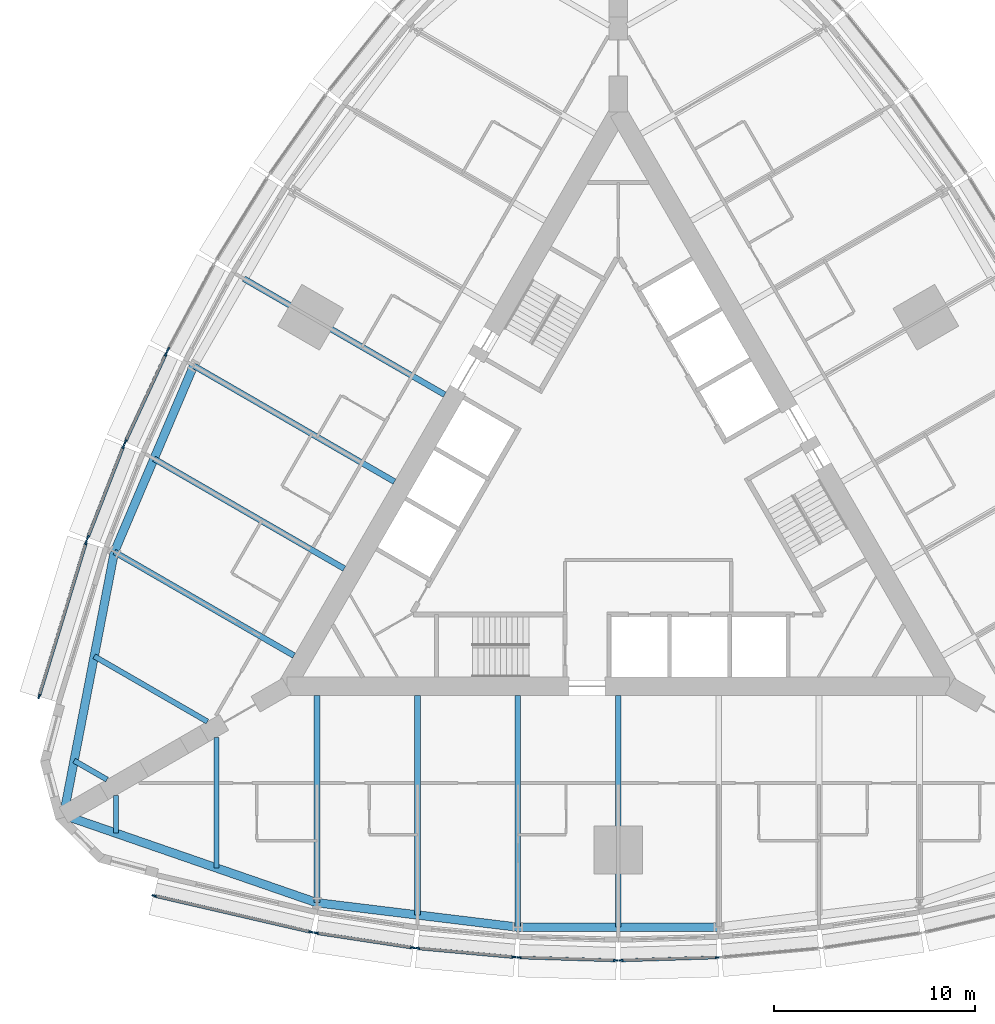
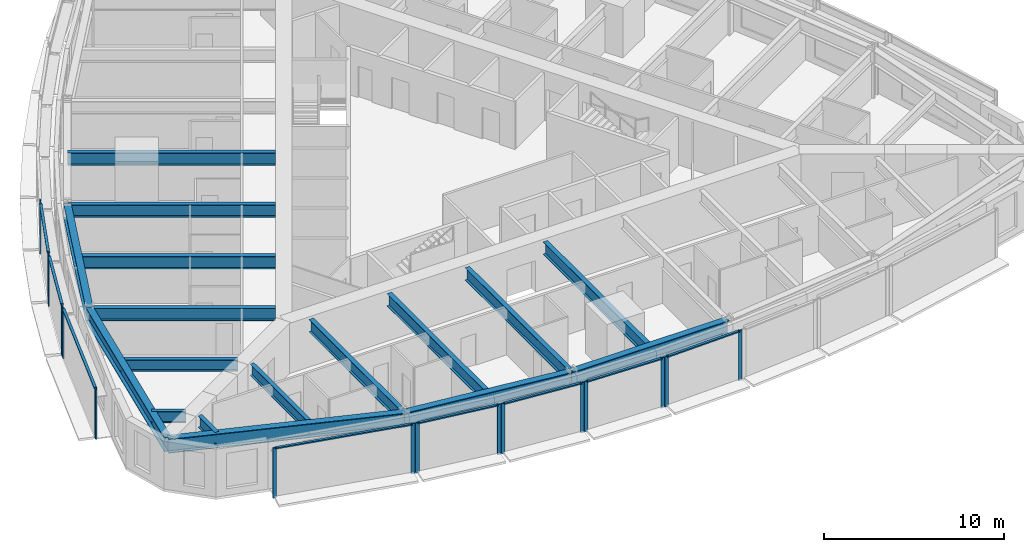
# One storey, part 2 of 14: 25 members, 17 beams, 9 elements without a shape of their own.
"""IFC4 building model written with IfcOpenShell, lengths in metres."""

from ifc_helpers import new_model, si_unit, direction, frame, origin, origin_2d, place, context, subcontext, project, spatial, rectangle, i_section, extrude, material, material_profile, profile_set, type_object, element, aggregate, save


model = new_model("IFC4")

# Units and contexts
model_context = context("Model", 3, precision=1e-05, world=origin(), true_north=direction((0.0, 1.0)))
body_context = subcontext(model_context, "Body", "Model", "MODEL_VIEW")
ifc_project = project(units=[si_unit("LENGTHUNIT", "METRE"), si_unit("AREAUNIT", "SQUARE_METRE"), si_unit("VOLUMEUNIT", "CUBIC_METRE"), si_unit("PLANEANGLEUNIT", "RADIAN"), si_unit("MASSUNIT", "GRAM", prefix="KILO")], contexts=[model_context])

# Site, building, storey
site_placement = place(None, origin())
site = spatial("IfcSite", under=ifc_project, at=site_placement, CompositionType="ELEMENT")
building_placement = place(site_placement, origin())
building = spatial("IfcBuilding", under=site, at=building_placement, Name="Trikona Tower", CompositionType="ELEMENT")
storey_placement = place(building_placement, frame((0.0, 0.0, 69.300048828125)))
storey = spatial("IfcBuildingStorey", under=building, at=storey_placement, Name="L17", CompositionType="ELEMENT", Elevation=69.300048828125)

# Curtain wall, members
ifc_material_1 = material(Name="Aluminium curtain wall system", Category="aluminium")
curtain_wall_type = type_object("IfcCurtainWallType", Name="Curtain wall DS1", PredefinedType="NOTDEFINED", material=ifc_material_1)
curtain_wall_1_placement = place(storey_placement, origin())
curtain_wall_1 = element("IfcCurtainWall", 1, at=curtain_wall_1_placement, inside=storey, type_object=curtain_wall_type, Name="Curtain wall DS1 L17", PredefinedType="NOTDEFINED")
ifc_material_2 = material(Name="Aluminium mullion, pale anodised", Category="aluminium")
ifc_material_profile_1 = material_profile(ifc_material_2, rectangle(XDim=0.080078125, YDim=0.219970703125, at=origin_2d()), Name="MUL-DS1")
ifc_profile_set_1 = profile_set([ifc_material_profile_1], Name="Aluminium mullion, pale anodised")
member_type_1 = type_object("IfcMemberType", Name="Mullion DS1 80x220", PredefinedType="MULLION", material=ifc_profile_set_1)
member_1_placement = place(storey_placement, frame((-23.10546875, -19.951904296875, 0.0), z_axis=(0.0, 0.0, 1.0), x_axis=(0.225343288756, 0.974279427173, 0.0)))
member_1 = element("IfcMember", 2, at=member_1_placement, type_object=member_type_1, Name="CW-DS1 mullion 1", PredefinedType="MULLION", context=body_context, shape_type="SweptSolid", body=[
    extrude(rectangle(XDim=0.080078125, YDim=0.219970703125, at=origin_2d()), origin(), (0.0, 0.0, 1.0), 3.39990234375),
])
member_2_placement = place(storey_placement, frame((-15.30029296875, -21.75732421875, 0.0), z_axis=(0.0, 0.0, 1.0), x_axis=(0.225343288756, 0.974279427173, 0.0)))
member_2 = element("IfcMember", 3, at=member_2_placement, type_object=member_type_1, Name="CW-DS1 mullion 2", PredefinedType="MULLION", context=body_context, shape_type="SweptSolid", body=[
    extrude(rectangle(XDim=0.080078125, YDim=0.219970703125, at=origin_2d()), origin(), (0.0, 0.0, 1.0), 3.39990234375),
])

curtain_wall_2_placement = place(storey_placement, origin())
curtain_wall_2 = element("IfcCurtainWall", 4, at=curtain_wall_2_placement, inside=storey, type_object=curtain_wall_type, Name="Curtain wall DS1 L17", PredefinedType="NOTDEFINED")
member_3_placement = place(storey_placement, frame((-15.03662109375, -21.807861328125, 0.0), z_axis=(0.0, 0.0, 1.0), x_axis=(0.150437693845, 0.988619492156, 0.0)))
member_3 = element("IfcMember", 5, at=member_3_placement, type_object=member_type_1, Name="CW-DS1 mullion 1", PredefinedType="MULLION", context=body_context, shape_type="SweptSolid", body=[
    extrude(rectangle(XDim=0.080078125, YDim=0.219970703125, at=origin_2d()), origin(), (0.0, 0.0, 1.0), 3.39990234375),
])
member_4_placement = place(storey_placement, frame((-10.234130859375, -22.53857421875, 0.0), z_axis=(0.0, 0.0, 1.0), x_axis=(0.150437693845, 0.988619492156, 0.0)))
member_4 = element("IfcMember", 6, at=member_4_placement, type_object=member_type_1, Name="CW-DS1 mullion 2", PredefinedType="MULLION", context=body_context, shape_type="SweptSolid", body=[
    extrude(rectangle(XDim=0.080078125, YDim=0.219970703125, at=origin_2d()), origin(), (0.0, 0.0, 1.0), 3.39990234375),
])

curtain_wall_3_placement = place(storey_placement, origin())
curtain_wall_3 = element("IfcCurtainWall", 7, at=curtain_wall_3_placement, inside=storey, type_object=curtain_wall_type, Name="Curtain wall DS1 L17", PredefinedType="NOTDEFINED")
member_5_placement = place(storey_placement, frame((-9.982177734375, -22.5693359375, 0.0), z_axis=(0.0, 0.0, 1.0), x_axis=(0.090923932737, 0.995857840485, 0.0)))
member_5 = element("IfcMember", 8, at=member_5_placement, type_object=member_type_1, Name="CW-DS1 mullion 1", PredefinedType="MULLION", context=body_context, shape_type="SweptSolid", body=[
    extrude(rectangle(XDim=0.080078125, YDim=0.219970703125, at=origin_2d()), origin(), (0.0, 0.0, 1.0), 3.39990234375),
])
member_6_placement = place(storey_placement, frame((-5.181396484375, -23.007568359375, 0.0), z_axis=(0.0, 0.0, 1.0), x_axis=(0.090923932737, 0.995857840485, 0.0)))
member_6 = element("IfcMember", 9, at=member_6_placement, type_object=member_type_1, Name="CW-DS1 mullion 2", PredefinedType="MULLION", context=body_context, shape_type="SweptSolid", body=[
    extrude(rectangle(XDim=0.080078125, YDim=0.219970703125, at=origin_2d()), origin(), (0.0, 0.0, 1.0), 3.39990234375),
])

curtain_wall_4_placement = place(storey_placement, origin())
curtain_wall_4 = element("IfcCurtainWall", 10, at=curtain_wall_4_placement, inside=storey, type_object=curtain_wall_type, Name="Curtain wall DS1 L17", PredefinedType="NOTDEFINED")
member_7_placement = place(storey_placement, frame((-4.927490234375, -23.02294921875, 0.0), z_axis=(0.0, 0.0, 1.0), x_axis=(0.030436711692, 0.999536695965, 0.0)))
member_7 = element("IfcMember", 11, at=member_7_placement, type_object=member_type_1, Name="CW-DS1 mullion 1", PredefinedType="MULLION", context=body_context, shape_type="SweptSolid", body=[
    extrude(rectangle(XDim=0.080078125, YDim=0.219970703125, at=origin_2d()), origin(), (0.0, 0.0, 1.0), 3.39990234375),
])
member_8_placement = place(storey_placement, frame((-0.12744140625, -23.169189453125, 0.0), z_axis=(0.0, 0.0, 1.0), x_axis=(0.030436711692, 0.999536695965, 0.0)))
member_8 = element("IfcMember", 12, at=member_8_placement, type_object=member_type_1, Name="CW-DS1 mullion 2", PredefinedType="MULLION", context=body_context, shape_type="SweptSolid", body=[
    extrude(rectangle(XDim=0.080078125, YDim=0.219970703125, at=origin_2d()), origin(), (0.0, 0.0, 1.0), 3.39990234375),
])

curtain_wall_5_placement = place(storey_placement, origin())
curtain_wall_5 = element("IfcCurtainWall", 13, at=curtain_wall_5_placement, inside=storey, type_object=curtain_wall_type, Name="Curtain wall DS1 L17", PredefinedType="NOTDEFINED")
member_9_placement = place(storey_placement, frame((0.12744140625, -23.169189453125, 0.0), z_axis=(0.0, 0.0, 1.0), x_axis=(-0.030436711692, 0.999536695965, 0.0)))
member_9 = element("IfcMember", 14, at=member_9_placement, type_object=member_type_1, Name="CW-DS1 mullion 1", PredefinedType="MULLION", context=body_context, shape_type="SweptSolid", body=[
    extrude(rectangle(XDim=0.080078125, YDim=0.219970703125, at=origin_2d()), origin(), (0.0, 0.0, 1.0), 3.39990234375),
])
member_10_placement = place(storey_placement, frame((4.927490234375, -23.02294921875, 0.0), z_axis=(0.0, 0.0, 1.0), x_axis=(-0.030436711692, 0.999536695965, 0.0)))
member_10 = element("IfcMember", 15, at=member_10_placement, type_object=member_type_1, Name="CW-DS1 mullion 2", PredefinedType="MULLION", context=body_context, shape_type="SweptSolid", body=[
    extrude(rectangle(XDim=0.080078125, YDim=0.219970703125, at=origin_2d()), origin(), (0.0, 0.0, 1.0), 3.39990234375),
])

# Curtain wall, member
curtain_wall_6_placement = place(storey_placement, origin())
curtain_wall_6 = element("IfcCurtainWall", 16, at=curtain_wall_6_placement, inside=storey, type_object=curtain_wall_type, Name="Curtain wall DS1 L17", PredefinedType="NOTDEFINED")
member_11_placement = place(storey_placement, frame((-22.402099609375, 7.244140625, 0.0), z_axis=(0.0, 0.0, 1.0), x_axis=(0.880843080975, -0.473408350896, 0.0)))
member_11 = element("IfcMember", 17, at=member_11_placement, type_object=member_type_1, Name="CW-DS1 mullion 2", PredefinedType="MULLION", context=body_context, shape_type="SweptSolid", body=[
    extrude(rectangle(XDim=0.080078125, YDim=0.219970703125, at=origin_2d()), origin(), (0.0, 0.0, 1.0), 3.39990234375),
])
aggregate(curtain_wall_6, [member_11])

# Curtain wall, members
curtain_wall_7_placement = place(storey_placement, origin())
curtain_wall_7 = element("IfcCurtainWall", 18, at=curtain_wall_7_placement, inside=storey, type_object=curtain_wall_type, Name="Curtain wall DS1 L17", PredefinedType="NOTDEFINED")
member_12_placement = place(storey_placement, frame((-22.515869140625, 7.0166015625, 0.0), z_axis=(0.0, 0.0, 1.0), x_axis=(0.907898459992, -0.419190155352, 0.0)))
member_12 = element("IfcMember", 19, at=member_12_placement, type_object=member_type_1, Name="CW-DS1 mullion 1", PredefinedType="MULLION", context=body_context, shape_type="SweptSolid", body=[
    extrude(rectangle(XDim=0.080078125, YDim=0.219970703125, at=origin_2d()), origin(), (0.0, 0.0, 1.0), 3.39990234375),
])
member_13_placement = place(storey_placement, frame((-24.53662109375, 2.6396484375, 0.0), z_axis=(0.0, 0.0, 1.0), x_axis=(0.907898459992, -0.419190155352, 0.0)))
member_13 = element("IfcMember", 20, at=member_13_placement, type_object=member_type_1, Name="CW-DS1 mullion 2", PredefinedType="MULLION", context=body_context, shape_type="SweptSolid", body=[
    extrude(rectangle(XDim=0.080078125, YDim=0.219970703125, at=origin_2d()), origin(), (0.0, 0.0, 1.0), 3.39990234375),
])

curtain_wall_8_placement = place(storey_placement, origin())
curtain_wall_8 = element("IfcCurtainWall", 21, at=curtain_wall_8_placement, inside=storey, type_object=curtain_wall_type, Name="Curtain wall DS1 L17", PredefinedType="NOTDEFINED")
member_14_placement = place(storey_placement, frame((-24.63623046875, 2.40625, 0.0), z_axis=(0.0, 0.0, 1.0), x_axis=(0.931395989443, -0.36400756977, 0.0)))
member_14 = element("IfcMember", 22, at=member_14_placement, type_object=member_type_1, Name="CW-DS1 mullion 1", PredefinedType="MULLION", context=body_context, shape_type="SweptSolid", body=[
    extrude(rectangle(XDim=0.080078125, YDim=0.219970703125, at=origin_2d()), origin(), (0.0, 0.0, 1.0), 3.39990234375),
])
member_15_placement = place(storey_placement, frame((-26.404296875, -2.1181640625, 0.0), z_axis=(0.0, 0.0, 1.0), x_axis=(0.931395989443, -0.36400756977, 0.0)))
member_15 = element("IfcMember", 23, at=member_15_placement, type_object=member_type_1, Name="CW-DS1 mullion 2", PredefinedType="MULLION", context=body_context, shape_type="SweptSolid", body=[
    extrude(rectangle(XDim=0.080078125, YDim=0.219970703125, at=origin_2d()), origin(), (0.0, 0.0, 1.0), 3.39990234375),
])

curtain_wall_9_placement = place(storey_placement, origin())
curtain_wall_9 = element("IfcCurtainWall", 24, at=curtain_wall_9_placement, inside=storey, type_object=curtain_wall_type, Name="Curtain wall DS1 L17", PredefinedType="NOTDEFINED")
member_16_placement = place(storey_placement, frame((-26.492431640625, -2.371826171875, 0.0), z_axis=(0.0, 0.0, 1.0), x_axis=(0.956423115383, -0.291984287868, 0.0)))
member_16 = element("IfcMember", 25, at=member_16_placement, type_object=member_type_1, Name="CW-DS1 mullion 1", PredefinedType="MULLION", context=body_context, shape_type="SweptSolid", body=[
    extrude(rectangle(XDim=0.080078125, YDim=0.219970703125, at=origin_2d()), origin(), (0.0, 0.0, 1.0), 3.39990234375),
])
member_17_placement = place(storey_placement, frame((-28.83154296875, -10.033935546875, 0.0), z_axis=(0.0, 0.0, 1.0), x_axis=(0.956423115383, -0.291984287868, 0.0)))
member_17 = element("IfcMember", 26, at=member_17_placement, type_object=member_type_1, Name="CW-DS1 mullion 2", PredefinedType="MULLION", context=body_context, shape_type="SweptSolid", body=[
    extrude(rectangle(XDim=0.080078125, YDim=0.219970703125, at=origin_2d()), origin(), (0.0, 0.0, 1.0), 3.39990234375),
])

# Beams
ifc_material_3 = material(Name="Steel ASTM A992 Grade 50", Category="steel")
ifc_material_profile_2 = material_profile(ifc_material_3, i_section(OverallWidth=0.2666015625, OverallDepth=0.76953125, WebThickness=0.015625, FlangeThickness=0.025390625, at=origin_2d()), Name="W30X132")
ifc_profile_set_2 = profile_set([ifc_material_profile_2], Name="Steel ASTM A992 Grade 50")
beam_type_1 = type_object("IfcBeamType", Name="Steel beam W30x132 (wedge)", PredefinedType="BEAM", material=ifc_profile_set_2)
beam_1_placement = place(storey_placement, frame((-25.0, -14.953369140625, 2.85009765625), z_axis=(0.0, -1.0, 0.0), x_axis=(1.0, 0.0, 0.0)))
element("IfcBeam", 27, at=beam_1_placement, inside=storey, type_object=beam_type_1, Name="Floor beam L18 F1 u-25", PredefinedType="BEAM", context=body_context, shape_type="SweptSolid", body=[
    extrude(i_section(OverallWidth=0.2666015625, OverallDepth=0.76953125, WebThickness=0.015625, FlangeThickness=0.025390625, at=origin_2d()), origin(), (0.0, 0.0, 1.0), 1.890380859375),
])
for number, where, z_axis, x_axis, name in (
    (28, (-20.0, -12.066650390625, 2.85009765625), (0.0, -1.0, 0.0), (1.0, 0.0, 0.0), "Floor beam L18 F1 u-20"),
    (29, (-20.449951171875, -11.287109375, 2.85009765625), (-0.866022504693, 0.50000502134, 0.0), (-0.50000502134, -0.866022504693, 0.0), "Floor beam L18 F3 u20"),
):
    element("IfcBeam", number, at=place(storey_placement, frame(where, z_axis=z_axis, x_axis=x_axis)), inside=storey, type_object=beam_type_1, Name=name, PredefinedType="BEAM", context=body_context, shape_type="SweptSolid", body=[
        extrude(i_section(OverallWidth=0.2666015625, OverallDepth=0.76953125, WebThickness=0.015625, FlangeThickness=0.025390625, at=origin_2d()), origin(), (0.0, 0.0, 1.0), 6.5068359375),
    ])
beam_2_placement = place(storey_placement, frame((-25.449951171875, -14.173828125, 2.85009765625), z_axis=(-0.866065156741, 0.499931139538, 0.0), x_axis=(-0.499931139538, -0.866065156741, 0.0)))
element("IfcBeam", 30, at=beam_2_placement, inside=storey, type_object=beam_type_1, Name="Floor beam L18 F3 u25", PredefinedType="BEAM", context=body_context, shape_type="SweptSolid", body=[
    extrude(i_section(OverallWidth=0.2666015625, OverallDepth=0.76953125, WebThickness=0.015625, FlangeThickness=0.025390625, at=origin_2d()), origin(), (0.0, 0.0, 1.0), 1.890380859375),
])
ifc_material_4 = material(Name="Steel ASTM A992 Grade 50", Category="steel")
ifc_material_profile_3 = material_profile(ifc_material_4, i_section(OverallWidth=0.2919921875, OverallDepth=0.845703125, WebThickness=0.015380859375, FlangeThickness=0.0244140625, at=origin_2d()), Name="W33X141")
ifc_profile_set_3 = profile_set([ifc_material_profile_3], Name="Steel ASTM A992 Grade 50")
beam_type_2 = type_object("IfcBeamType", Name="Steel beam W33x141 (radial typ)", PredefinedType="BEAM", material=ifc_profile_set_3)
beam_3_placement = place(storey_placement, frame((-15.0, -9.976318359375, 2.81201171875), z_axis=(0.0, -1.0, 0.0), x_axis=(1.0, 0.0, 0.0)))
element("IfcBeam", 31, at=beam_3_placement, inside=storey, type_object=beam_type_2, Name="Floor beam L18 F1 u-15", PredefinedType="BEAM", context=body_context, shape_type="SweptSolid", body=[
    extrude(i_section(OverallWidth=0.2919921875, OverallDepth=0.845703125, WebThickness=0.015380859375, FlangeThickness=0.0244140625, at=origin_2d()), origin(), (0.0, 0.0, 1.0), 10.32666015625),
])
beam_4_placement = place(storey_placement, frame((-10.0, -9.976318359375, 2.81201171875), z_axis=(0.0, -1.0, 0.0), x_axis=(1.0, 0.0, 0.0)))
element("IfcBeam", 32, at=beam_4_placement, inside=storey, type_object=beam_type_2, Name="Floor beam L18 F1 u-10", PredefinedType="BEAM", context=body_context, shape_type="SweptSolid", body=[
    extrude(i_section(OverallWidth=0.2919921875, OverallDepth=0.845703125, WebThickness=0.015380859375, FlangeThickness=0.0244140625, at=origin_2d()), origin(), (0.0, 0.0, 1.0), 10.935302734375),
])
for number, where, z_axis, x_axis, name in (
    (33, (-5.0, -9.976318359375, 2.81201171875), (0.0, -1.0, 0.0), (1.0, 0.0, 0.0), "Floor beam L18 F1 u-5"),
    (34, (0.0, -9.976318359375, 2.81201171875), (0.0, -1.0, 0.0), (1.0, 0.0, 0.0), "Floor beam L18 F1 u0"),
    (35, (-8.6396484375, 4.988037109375, 2.81201171875), (-0.866020765707, 0.500008033299, 0.0), (-0.500008033299, -0.866020765707, 0.0), "Floor beam L18 F3 u0"),
    (36, (-11.1396484375, 0.657958984375, 2.81201171875), (-0.866020765707, 0.500008033299, 0.0), (-0.500008033299, -0.866020765707, 0.0), "Floor beam L18 F3 u5"),
):
    element("IfcBeam", number, at=place(storey_placement, frame(where, z_axis=z_axis, x_axis=x_axis)), inside=storey, type_object=beam_type_2, Name=name, PredefinedType="BEAM", context=body_context, shape_type="SweptSolid", body=[
        extrude(i_section(OverallWidth=0.2919921875, OverallDepth=0.845703125, WebThickness=0.015380859375, FlangeThickness=0.0244140625, at=origin_2d()), origin(), (0.0, 0.0, 1.0), 11.544189453125),
    ])
beam_5_placement = place(storey_placement, frame((-13.6396484375, -3.672119140625, 2.81201171875), z_axis=(-0.866025348605, 0.500000095573, 0.0), x_axis=(-0.500000095573, -0.866025348605, 0.0)))
element("IfcBeam", 37, at=beam_5_placement, inside=storey, type_object=beam_type_2, Name="Floor beam L18 F3 u10", PredefinedType="BEAM", context=body_context, shape_type="SweptSolid", body=[
    extrude(i_section(OverallWidth=0.2919921875, OverallDepth=0.845703125, WebThickness=0.015380859375, FlangeThickness=0.0244140625, at=origin_2d()), origin(), (0.0, 0.0, 1.0), 10.935546875),
])
beam_6_placement = place(storey_placement, frame((-16.1396484375, -8.002197265625, 2.81201171875), z_axis=(-0.866030471684, 0.499991222037, 0.0), x_axis=(-0.499991222037, -0.866030471684, 0.0)))
element("IfcBeam", 38, at=beam_6_placement, inside=storey, type_object=beam_type_2, Name="Floor beam L18 F3 u15", PredefinedType="BEAM", context=body_context, shape_type="SweptSolid", body=[
    extrude(i_section(OverallWidth=0.2919921875, OverallDepth=0.845703125, WebThickness=0.015380859375, FlangeThickness=0.0244140625, at=origin_2d()), origin(), (0.0, 0.0, 1.0), 10.326904296875),
])
ifc_material_5 = material(Name="Steel ASTM A992 Grade 50", Category="steel")
ifc_material_profile_4 = material_profile(ifc_material_5, i_section(OverallWidth=0.424072265625, OverallDepth=0.947509765625, WebThickness=0.02392578125, FlangeThickness=0.042724609375, at=origin_2d()), Name="W36X302")
ifc_profile_set_4 = profile_set([ifc_material_profile_4], Name="Steel ASTM A992 Grade 50")
beam_type_3 = type_object("IfcBeamType", Name="Steel beam W36x302 (spandrel)", PredefinedType="SPANDREL", material=ifc_profile_set_4)
beam_7_placement = place(storey_placement, frame((-27.6103515625, -15.94091796875, 2.76123046875), z_axis=(0.945056965739, -0.326905692071, 0.0), x_axis=(0.326905692071, 0.945056965739, 0.0)))
element("IfcBeam", 39, at=beam_7_placement, inside=storey, type_object=beam_type_3, Name="Spandrel beam L18 F1-1", PredefinedType="SPANDREL", context=body_context, shape_type="SweptSolid", body=[
    extrude(i_section(OverallWidth=0.424072265625, OverallDepth=0.947509765625, WebThickness=0.02392578125, FlangeThickness=0.042724609375, at=origin_2d()), origin(), (0.0, 0.0, 1.0), 13.343505859375),
])
beam_8_placement = place(storey_placement, frame((-15.0, -20.302978515625, 2.76123046875), z_axis=(0.99266951126, -0.120860421207, 0.0), x_axis=(0.120860421207, 0.99266951126, 0.0)))
element("IfcBeam", 40, at=beam_8_placement, inside=storey, type_object=beam_type_3, Name="Spandrel beam L18 F1-2", PredefinedType="SPANDREL", context=body_context, shape_type="SweptSolid", body=[
    extrude(i_section(OverallWidth=0.424072265625, OverallDepth=0.947509765625, WebThickness=0.02392578125, FlangeThickness=0.042724609375, at=origin_2d()), origin(), (0.0, 0.0, 1.0), 10.07373046875),
])
beam_9_placement = place(storey_placement, frame((-5.0, -21.5205078125, 2.76123046875), z_axis=(1.0, 0.0, 0.0), x_axis=(0.0, 1.0, 0.0)))
element("IfcBeam", 41, at=beam_9_placement, inside=storey, type_object=beam_type_3, Name="Spandrel beam L18 F1-3", PredefinedType="SPANDREL", context=body_context, shape_type="SweptSolid", body=[
    extrude(i_section(OverallWidth=0.424072265625, OverallDepth=0.947509765625, WebThickness=0.02392578125, FlangeThickness=0.042724609375, at=origin_2d()), origin(), (0.0, 0.0, 1.0), 10.0),
])
beam_10_placement = place(storey_placement, frame((-21.13720703125, 6.43017578125, 2.76123046875), z_axis=(-0.391683514847, -0.920100007715, 0.0), x_axis=(0.920100007715, -0.391683514847, 0.0)))
element("IfcBeam", 42, at=beam_10_placement, inside=storey, type_object=beam_type_3, Name="Spandrel beam L18 F3-4", PredefinedType="SPANDREL", context=body_context, shape_type="SweptSolid", body=[
    extrude(i_section(OverallWidth=0.424072265625, OverallDepth=0.947509765625, WebThickness=0.02392578125, FlangeThickness=0.042724609375, at=origin_2d()), origin(), (0.0, 0.0, 1.0), 10.073974609375),
])
beam_11_placement = place(storey_placement, frame((-25.0830078125, -2.8388671875, 2.76123046875), z_axis=(-0.189405184036, -0.981899015307, 0.0), x_axis=(0.981899015307, -0.189405184036, 0.0)))
element("IfcBeam", 43, at=beam_11_placement, inside=storey, type_object=beam_type_3, Name="Spandrel beam L18 F3-5", PredefinedType="SPANDREL", context=body_context, shape_type="SweptSolid", body=[
    extrude(i_section(OverallWidth=0.424072265625, OverallDepth=0.947509765625, WebThickness=0.02392578125, FlangeThickness=0.042724609375, at=origin_2d()), origin(), (0.0, 0.0, 1.0), 13.343505859375),
])

# Member
ifc_material_6 = material(Name="Aluminium transom, pale anodised", Category="aluminium")
ifc_material_profile_5 = material_profile(ifc_material_6, rectangle(XDim=0.159912109375, YDim=0.080078125, at=origin_2d()), Name="TRN-DS1")
ifc_profile_set_5 = profile_set([ifc_material_profile_5], Name="Aluminium transom, pale anodised")
member_type_2 = type_object("IfcMemberType", Name="Transom DS1 80x160", PredefinedType="USERDEFINED", material=ifc_profile_set_5)
member_18_placement = place(storey_placement, frame((-23.06640625, -19.9609375, 3.35986328125), z_axis=(0.974275371842, -0.225360821398, 0.0), x_axis=(0.225360821398, 0.974275371842, 0.0)))
member_18 = element("IfcMember", 44, at=member_18_placement, type_object=member_type_2, Name="CW-DS1 transom 1.1", ObjectType="TRANSOM", PredefinedType="USERDEFINED", context=body_context, shape_type="SweptSolid", body=[
    extrude(rectangle(XDim=0.159912109375, YDim=0.080078125, at=origin_2d()), origin(), (0.0, 0.0, 1.0), 7.93115234375),
])

aggregate(curtain_wall_1, [member_1, member_2, member_18])

member_19_placement = place(storey_placement, frame((-14.9970703125, -21.813720703125, 3.35986328125), z_axis=(0.988619663412, -0.150436568413, 0.0), x_axis=(0.150436568413, 0.988619663412, 0.0)))
member_19 = element("IfcMember", 45, at=member_19_placement, type_object=member_type_2, Name="CW-DS1 transom 1.1", ObjectType="TRANSOM", PredefinedType="USERDEFINED", context=body_context, shape_type="SweptSolid", body=[
    extrude(rectangle(XDim=0.159912109375, YDim=0.080078125, at=origin_2d()), origin(), (0.0, 0.0, 1.0), 4.77783203125),
])

aggregate(curtain_wall_2, [member_3, member_4, member_19])

member_20_placement = place(storey_placement, frame((-9.9423828125, -22.57275390625, 3.35986328125), z_axis=(0.995855977008, -0.090944340438, 0.0), x_axis=(0.090944340438, 0.995855977008, 0.0)))
member_20 = element("IfcMember", 46, at=member_20_placement, type_object=member_type_2, Name="CW-DS1 transom 1.1", ObjectType="TRANSOM", PredefinedType="USERDEFINED", context=body_context, shape_type="SweptSolid", body=[
    extrude(rectangle(XDim=0.159912109375, YDim=0.080078125, at=origin_2d()), origin(), (0.0, 0.0, 1.0), 4.74072265625),
])

aggregate(curtain_wall_3, [member_5, member_6, member_20])

member_21_placement = place(storey_placement, frame((-4.887451171875, -23.024169921875, 3.35986328125), z_axis=(0.999536232946, -0.030451913371, 0.0), x_axis=(0.030451913371, 0.999536232946, 0.0)))
member_21 = element("IfcMember", 47, at=member_21_placement, type_object=member_type_2, Name="CW-DS1 transom 1.1", ObjectType="TRANSOM", PredefinedType="USERDEFINED", context=body_context, shape_type="SweptSolid", body=[
    extrude(rectangle(XDim=0.159912109375, YDim=0.080078125, at=origin_2d()), origin(), (0.0, 0.0, 1.0), 4.72216796875),
])

aggregate(curtain_wall_4, [member_7, member_8, member_21])

member_22_placement = place(storey_placement, frame((0.16748046875, -23.16796875, 3.35986328125), z_axis=(0.999536232946, 0.030451913371, 0.0), x_axis=(-0.030451913371, 0.999536232946, 0.0)))
member_22 = element("IfcMember", 48, at=member_22_placement, type_object=member_type_2, Name="CW-DS1 transom 1.1", ObjectType="TRANSOM", PredefinedType="USERDEFINED", context=body_context, shape_type="SweptSolid", body=[
    extrude(rectangle(XDim=0.159912109375, YDim=0.080078125, at=origin_2d()), origin(), (0.0, 0.0, 1.0), 4.72216796875),
])

aggregate(curtain_wall_5, [member_9, member_10, member_22])

member_23_placement = place(storey_placement, frame((-22.53271484375, 6.980224609375, 3.35986328125), z_axis=(-0.419188800665, -0.90789908547, 0.0), x_axis=(0.90789908547, -0.419188800665, 0.0)))
member_23 = element("IfcMember", 49, at=member_23_placement, type_object=member_type_2, Name="CW-DS1 transom 1.1", ObjectType="TRANSOM", PredefinedType="USERDEFINED", context=body_context, shape_type="SweptSolid", body=[
    extrude(rectangle(XDim=0.159912109375, YDim=0.080078125, at=origin_2d()), origin(), (0.0, 0.0, 1.0), 4.74072265625),
])

aggregate(curtain_wall_7, [member_12, member_13, member_23])

member_24_placement = place(storey_placement, frame((-24.650634765625, 2.368896484375, 3.35986328125), z_axis=(-0.364048647668, -0.931379934362, 0.0), x_axis=(0.931379934362, -0.364048647668, 0.0)))
member_24 = element("IfcMember", 50, at=member_24_placement, type_object=member_type_2, Name="CW-DS1 transom 1.1", ObjectType="TRANSOM", PredefinedType="USERDEFINED", context=body_context, shape_type="SweptSolid", body=[
    extrude(rectangle(XDim=0.159912109375, YDim=0.080078125, at=origin_2d()), origin(), (0.0, 0.0, 1.0), 4.777587890625),
])

aggregate(curtain_wall_8, [member_14, member_15, member_24])

member_25_placement = place(storey_placement, frame((-26.504150390625, -2.409912109375, 3.35986328125), z_axis=(-0.291967490203, -0.956428243343, 0.0), x_axis=(0.956428243343, -0.291967490203, 0.0)))
member_25 = element("IfcMember", 51, at=member_25_placement, type_object=member_type_2, Name="CW-DS1 transom 1.1", ObjectType="TRANSOM", PredefinedType="USERDEFINED", context=body_context, shape_type="SweptSolid", body=[
    extrude(rectangle(XDim=0.159912109375, YDim=0.080078125, at=origin_2d()), origin(), (0.0, 0.0, 1.0), 7.93115234375),
])

aggregate(curtain_wall_9, [member_16, member_17, member_25])

save(model, "model.ifc")
